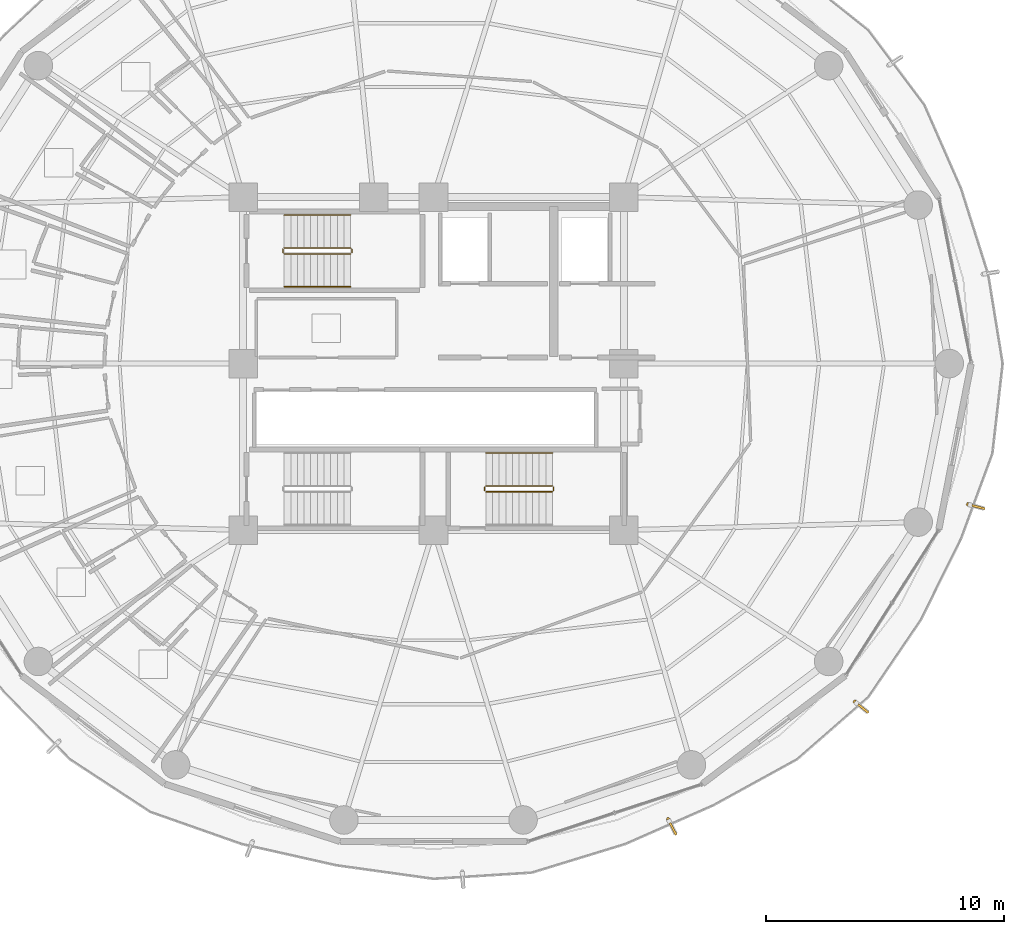
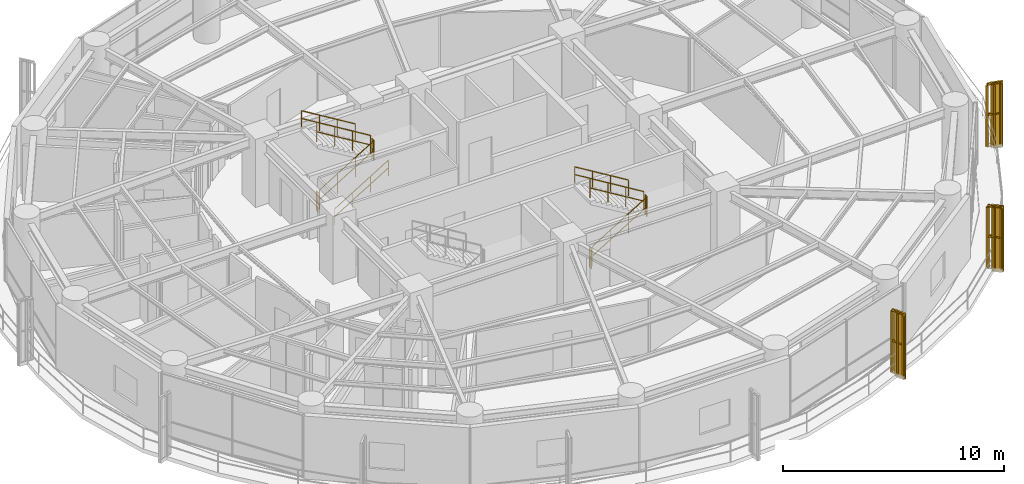
# One storey, part 26 of 27: 14 railings, 3 shading devices.
"""IFC4 building model written with IfcOpenShell, lengths in metres."""

from ifc_helpers import new_model, si_unit, direction, frame, origin, origin_2d, place, context, subcontext, project, spatial, polyline, rectangle, outline, extrude, source, transform, mapped, material, type_object, element, save


model = new_model("IFC4")

# Units and contexts
model_context = context("Model", 3, precision=1e-05, world=origin(), true_north=direction((0.0, 1.0)))
body_context = subcontext(model_context, "Body", "Model", "MODEL_VIEW")
ifc_project = project(units=[si_unit("LENGTHUNIT", "METRE"), si_unit("AREAUNIT", "SQUARE_METRE"), si_unit("VOLUMEUNIT", "CUBIC_METRE"), si_unit("PLANEANGLEUNIT", "RADIAN"), si_unit("MASSUNIT", "GRAM", prefix="KILO")], contexts=[model_context])

# Site, building, storey
site_placement = place(None, origin())
site = spatial("IfcSite", under=ifc_project, at=site_placement, CompositionType="ELEMENT")
building_placement = place(site_placement, origin())
building = spatial("IfcBuilding", under=site, at=building_placement, Name="Kelanora Arch Commons", CompositionType="ELEMENT")
storey_placement = place(building_placement, frame((0.0, 0.0, 173.10009765625)))
storey = spatial("IfcBuildingStorey", under=building, at=storey_placement, Name="L44", CompositionType="ELEMENT", Elevation=173.10009765625)

# Railings
ifc_material_1 = material(Name="Anodised bronze vertical shading fin rib assembly")
railing_type_1 = type_object("IfcRailingType", Name="RAIL-FIN-BRZ", PredefinedType="BALUSTRADE", material=ifc_material_1)
railing_1_placement = place(storey_placement, frame((96.4658203125, 52.081787109375, -0.02001953125)))
element("IfcRailing", 1, at=railing_1_placement, inside=storey, type_object=railing_type_1, Name="Sweeping Bronze Vertical Fin Blade L44-00", PredefinedType="BALUSTRADE", context=body_context, shape_type="SweptSolid", body=[
    extrude(outline(polyline([(0.06982421875, 0.0), (0.034912109375, 0.060546875), (-0.034912109375, 0.060546875), (-0.06982421875, 0.0), (-0.034912109375, -0.060546875), (0.034912109375, -0.060546875), (0.06982421875, 0.0)])), frame((0.0, 0.0, 3.419921875), z_axis=(0.967009213399, -0.254741400643, 0.0), x_axis=(0.254741400643, 0.967009213399, 0.0)), (0.0, 0.0, 1.0), 0.629638671875),
    extrude(outline(polyline([(0.06982421875, 0.0), (0.034912109375, 0.060546875), (-0.034912109375, 0.060546875), (-0.06982421875, 0.0), (-0.034912109375, -0.060546875), (0.034912109375, -0.060546875), (0.06982421875, 0.0)])), frame((0.0, 0.0, 1.7451171875), z_axis=(0.967009213399, -0.254741400643, 0.0), x_axis=(0.254741400643, 0.967009213399, 0.0)), (0.0, 0.0, 1.0), 0.629638671875),
    extrude(outline(polyline([(0.080078125, 0.0), (0.0400390625, 0.0693359375), (-0.0400390625, 0.0693359375), (-0.080078125, 0.0), (-0.0400390625, -0.0693359375), (0.0400390625, -0.0693359375), (0.080078125, 0.0)])), origin(), (0.0, 0.0, 1.0), 3.35009765625),
    extrude(outline(polyline([(0.080078125, 0.0), (0.0400390625, 0.0693359375), (-0.0400390625, 0.0693359375), (-0.080078125, 0.0), (-0.0400390625, -0.0693359375), (0.0400390625, -0.0693359375), (0.080078125, 0.0)])), frame((0.304443359375, -0.080078125, 0.0)), (0.0, 0.0, 1.0), 3.35009765625),
    extrude(outline(polyline([(0.080078125, 0.0), (0.0400390625, 0.0693359375), (-0.0400390625, 0.0693359375), (-0.080078125, 0.0), (-0.0400390625, -0.0693359375), (0.0400390625, -0.0693359375), (0.080078125, 0.0)])), frame((0.60888671875, -0.160400390625, 0.0)), (0.0, 0.0, 1.0), 3.35009765625),
])
railing_2_placement = place(storey_placement, frame((83.863037109375, 38.84326171875, -0.02001953125)))
element("IfcRailing", 2, at=railing_2_placement, inside=storey, type_object=railing_type_1, Name="Sweeping Bronze Vertical Fin Blade L44-13", PredefinedType="BALUSTRADE", context=body_context, shape_type="SweptSolid", body=[
    extrude(outline(polyline([(0.06982421875, 0.0), (0.034912109375, 0.060546875), (-0.034912109375, 0.060546875), (-0.06982421875, 0.0), (-0.034912109375, -0.060546875), (0.034912109375, -0.060546875), (0.06982421875, 0.0)])), frame((0.0, 0.0, 3.419921875), z_axis=(0.45757580669, -0.889170614186, 0.0), x_axis=(0.889170614186, 0.45757580669, 0.0)), (0.0, 0.0, 1.0), 0.629638671875),
    extrude(outline(polyline([(0.06982421875, 0.0), (0.034912109375, 0.060546875), (-0.034912109375, 0.060546875), (-0.06982421875, 0.0), (-0.034912109375, -0.060546875), (0.034912109375, -0.060546875), (0.06982421875, 0.0)])), frame((0.0, 0.0, 1.7451171875), z_axis=(0.45757580669, -0.889170614186, 0.0), x_axis=(0.889170614186, 0.45757580669, 0.0)), (0.0, 0.0, 1.0), 0.629638671875),
    extrude(outline(polyline([(0.080078125, 0.0), (0.0400390625, 0.0693359375), (-0.0400390625, 0.0693359375), (-0.080078125, 0.0), (-0.0400390625, -0.0693359375), (0.0400390625, -0.0693359375), (0.080078125, 0.0)])), origin(), (0.0, 0.0, 1.0), 3.35009765625),
    extrude(outline(polyline([(0.080078125, 0.0), (0.0400390625, 0.0693359375), (-0.0400390625, 0.0693359375), (-0.080078125, 0.0), (-0.0400390625, -0.0693359375), (0.0400390625, -0.0693359375), (0.080078125, 0.0)])), frame((0.14404296875, -0.27978515625, 0.0)), (0.0, 0.0, 1.0), 3.35009765625),
    extrude(outline(polyline([(0.080078125, 0.0), (0.0400390625, 0.0693359375), (-0.0400390625, 0.0693359375), (-0.080078125, 0.0), (-0.0400390625, -0.0693359375), (0.0400390625, -0.0693359375), (0.080078125, 0.0)])), frame((0.2880859375, -0.559814453125, 0.0)), (0.0, 0.0, 1.0), 3.35009765625),
])
railing_3_placement = place(storey_placement, frame((91.711181640625, 43.781005859375, -0.02001953125)))
element("IfcRailing", 3, at=railing_3_placement, inside=storey, type_object=railing_type_1, Name="Sweeping Bronze Vertical Fin Blade L44-14", PredefinedType="BALUSTRADE", context=body_context, shape_type="SweptSolid", body=[
    extrude(outline(polyline([(0.06982421875, 0.0), (0.034912109375, 0.060546875), (-0.034912109375, 0.060546875), (-0.06982421875, 0.0), (-0.034912109375, -0.060546875), (0.034912109375, -0.060546875), (0.06982421875, 0.0)])), frame((0.0, 0.0, 3.419921875), z_axis=(0.779884130357, -0.625923911684, 0.0), x_axis=(0.625923911684, 0.779884130357, 0.0)), (0.0, 0.0, 1.0), 0.629638671875),
    extrude(outline(polyline([(0.06982421875, 0.0), (0.034912109375, 0.060546875), (-0.034912109375, 0.060546875), (-0.06982421875, 0.0), (-0.034912109375, -0.060546875), (0.034912109375, -0.060546875), (0.06982421875, 0.0)])), frame((0.0, 0.0, 1.7451171875), z_axis=(0.779884130357, -0.625923911684, 0.0), x_axis=(0.625923911684, 0.779884130357, 0.0)), (0.0, 0.0, 1.0), 0.629638671875),
    extrude(outline(polyline([(0.080078125, 0.0), (0.0400390625, 0.0693359375), (-0.0400390625, 0.0693359375), (-0.080078125, 0.0), (-0.0400390625, -0.0693359375), (0.0400390625, -0.0693359375), (0.080078125, 0.0)])), origin(), (0.0, 0.0, 1.0), 3.35009765625),
    extrude(outline(polyline([(0.080078125, 0.0), (0.0400390625, 0.0693359375), (-0.0400390625, 0.0693359375), (-0.080078125, 0.0), (-0.0400390625, -0.0693359375), (0.0400390625, -0.0693359375), (0.080078125, 0.0)])), frame((0.24560546875, -0.197021484375, 0.0)), (0.0, 0.0, 1.0), 3.35009765625),
    extrude(outline(polyline([(0.080078125, 0.0), (0.0400390625, 0.0693359375), (-0.0400390625, 0.0693359375), (-0.080078125, 0.0), (-0.0400390625, -0.0693359375), (0.0400390625, -0.0693359375), (0.080078125, 0.0)])), frame((0.490966796875, -0.39404296875, 0.0)), (0.0, 0.0, 1.0), 3.35009765625),
])
ifc_material_2 = material(Name="Painted steel stair well guard", Category="steel")
railing_type_2 = type_object("IfcRailingType", Name="RAIL-STAIR-GRD", PredefinedType="GUARDRAIL", material=ifc_material_2)
railing_4_placement = place(storey_placement, frame((67.719970703125, 62.610107421875, 0.17041015625)))
element("IfcRailing", 4, at=railing_4_placement, inside=storey, type_object=railing_type_2, Name="L44 ST-T1 stair guard 1", PredefinedType="GUARDRAIL", context=body_context, shape_type="SweptSolid", body=[
    extrude(outline(polyline([(0.02392578125, 0.0), (0.011962890625, 0.020751953125), (-0.011962890625, 0.020751953125), (-0.02392578125, 0.0), (-0.011962890625, -0.020751953125), (0.011962890625, -0.020751953125), (0.02392578125, 0.0)])), frame((0.0, 0.0, 1.076171875), z_axis=(0.854169791009, 0.0, 0.51999420009), x_axis=(0.0, 1.0, 0.0)), (0.0, 0.0, 1.0), 3.278076171875),
    extrude(outline(polyline([(0.02392578125, 0.0), (0.011962890625, 0.020751953125), (-0.011962890625, 0.020751953125), (-0.02392578125, 0.0), (-0.011962890625, -0.020751953125), (0.011962890625, -0.020751953125), (0.02392578125, 0.0)])), frame((0.0, 0.0, 0.550048828125), z_axis=(0.854169791009, 0.0, 0.51999420009), x_axis=(0.0, 1.0, 0.0)), (0.0, 0.0, 1.0), 3.278076171875),
    extrude(outline(polyline([(0.02099609375, 0.0), (0.010498046875, 0.01806640625), (-0.010498046875, 0.01806640625), (-0.02099609375, 0.0), (-0.010498046875, -0.01806640625), (0.010498046875, -0.01806640625), (0.02099609375, 0.0)])), origin(), (0.0, 0.0, 1.0), 1.052001953125),
    extrude(outline(polyline([(0.02099609375, 0.0), (0.010498046875, 0.01806640625), (-0.010498046875, 0.01806640625), (-0.02099609375, 0.0), (-0.010498046875, -0.01806640625), (0.010498046875, -0.01806640625), (0.02099609375, 0.0)])), frame((0.933349609375, 0.0, 0.568115234375)), (0.0, 0.0, 1.0), 1.052001953125),
    extrude(outline(polyline([(0.02099609375, 0.0), (0.010498046875, 0.01806640625), (-0.010498046875, 0.01806640625), (-0.02099609375, 0.0), (-0.010498046875, -0.01806640625), (0.010498046875, -0.01806640625), (0.02099609375, 0.0)])), frame((1.86669921875, 0.0, 1.136474609375)), (0.0, 0.0, 1.0), 1.052001953125),
    extrude(outline(polyline([(0.02099609375, 0.0), (0.010498046875, 0.01806640625), (-0.010498046875, 0.01806640625), (-0.02099609375, 0.0), (-0.010498046875, -0.01806640625), (0.010498046875, -0.01806640625), (0.02099609375, 0.0)])), frame((2.800048828125, 0.0, 1.70458984375)), (0.0, 0.0, 1.0), 1.052001953125),
])
railing_5_placement = place(storey_placement, frame((70.570068359375, 62.659912109375, 1.875)))
element("IfcRailing", 5, at=railing_5_placement, inside=storey, type_object=railing_type_2, Name="L44 ST-T1 stair guard 2", PredefinedType="GUARDRAIL", context=body_context, shape_type="SweptSolid", body=[
    extrude(outline(polyline([(0.02392578125, 0.0), (0.011962890625, 0.020751953125), (-0.011962890625, 0.020751953125), (-0.02392578125, 0.0), (-0.011962890625, -0.020751953125), (0.011962890625, -0.020751953125), (0.02392578125, 0.0)])), frame((0.0, 0.0, 1.076171875), z_axis=(0.0, 1.0, 0.0), x_axis=(-1.0, 0.0, 0.0)), (0.0, 0.0, 1.0), 0.150146484375),
    extrude(outline(polyline([(0.02392578125, 0.0), (0.011962890625, 0.020751953125), (-0.011962890625, 0.020751953125), (-0.02392578125, 0.0), (-0.011962890625, -0.020751953125), (0.011962890625, -0.020751953125), (0.02392578125, 0.0)])), frame((0.0, 0.0, 0.550048828125), z_axis=(0.0, 1.0, 0.0), x_axis=(-1.0, 0.0, 0.0)), (0.0, 0.0, 1.0), 0.150146484375),
    extrude(outline(polyline([(0.02099609375, 0.0), (0.010498046875, 0.01806640625), (-0.010498046875, 0.01806640625), (-0.02099609375, 0.0), (-0.010498046875, -0.01806640625), (0.010498046875, -0.01806640625), (0.02099609375, 0.0)])), origin(), (0.0, 0.0, 1.0), 1.052001953125),
    extrude(outline(polyline([(0.02099609375, 0.0), (0.010498046875, 0.01806640625), (-0.010498046875, 0.01806640625), (-0.02099609375, 0.0), (-0.010498046875, -0.01806640625), (0.010498046875, -0.01806640625), (0.02099609375, 0.0)])), frame((0.0, 0.150146484375, 0.0)), (0.0, 0.0, 1.0), 1.052001953125),
])
railing_6_placement = place(storey_placement, frame((70.52001953125, 62.860107421875, 2.04541015625)))
element("IfcRailing", 6, at=railing_6_placement, inside=storey, type_object=railing_type_2, Name="L44 ST-T1 stair guard 3", PredefinedType="GUARDRAIL", context=body_context, shape_type="SweptSolid", body=[
    extrude(outline(polyline([(0.02392578125, 0.0), (0.011962890625, 0.020751953125), (-0.011962890625, 0.020751953125), (-0.02392578125, 0.0), (-0.011962890625, -0.020751953125), (0.011962890625, -0.020751953125), (0.02392578125, 0.0)])), frame((0.0, 0.0, 1.076171875), z_axis=(-0.854169791009, 0.0, 0.51999420009), x_axis=(0.0, -1.0, 0.0)), (0.0, 0.0, 1.0), 3.278076171875),
    extrude(outline(polyline([(0.02392578125, 0.0), (0.011962890625, 0.020751953125), (-0.011962890625, 0.020751953125), (-0.02392578125, 0.0), (-0.011962890625, -0.020751953125), (0.011962890625, -0.020751953125), (0.02392578125, 0.0)])), frame((0.0, 0.0, 0.550048828125), z_axis=(-0.854169791009, 0.0, 0.51999420009), x_axis=(0.0, -1.0, 0.0)), (0.0, 0.0, 1.0), 3.278076171875),
    extrude(outline(polyline([(0.02099609375, 0.0), (0.010498046875, 0.01806640625), (-0.010498046875, 0.01806640625), (-0.02099609375, 0.0), (-0.010498046875, -0.01806640625), (0.010498046875, -0.01806640625), (0.02099609375, 0.0)])), origin(), (0.0, 0.0, 1.0), 1.052001953125),
    extrude(outline(polyline([(0.02099609375, 0.0), (0.010498046875, 0.01806640625), (-0.010498046875, 0.01806640625), (-0.02099609375, 0.0), (-0.010498046875, -0.01806640625), (0.010498046875, -0.01806640625), (0.02099609375, 0.0)])), frame((-0.933349609375, 0.0, 0.568115234375)), (0.0, 0.0, 1.0), 1.052001953125),
    extrude(outline(polyline([(0.02099609375, 0.0), (0.010498046875, 0.01806640625), (-0.010498046875, 0.01806640625), (-0.02099609375, 0.0), (-0.010498046875, -0.01806640625), (0.010498046875, -0.01806640625), (0.02099609375, 0.0)])), frame((-1.86669921875, 0.0, 1.136474609375)), (0.0, 0.0, 1.0), 1.052001953125),
    extrude(outline(polyline([(0.02099609375, 0.0), (0.010498046875, 0.01806640625), (-0.010498046875, 0.01806640625), (-0.02099609375, 0.0), (-0.010498046875, -0.01806640625), (0.010498046875, -0.01806640625), (0.02099609375, 0.0)])), frame((-2.800048828125, 0.0, 1.70458984375)), (0.0, 0.0, 1.0), 1.052001953125),
])
railing_7_placement = place(storey_placement, frame((67.669921875, 62.659912109375, 0.0)))
element("IfcRailing", 7, at=railing_7_placement, inside=storey, type_object=railing_type_2, Name="L44 ST-T1 stair guard 4", PredefinedType="GUARDRAIL", context=body_context, shape_type="SweptSolid", body=[
    extrude(outline(polyline([(0.02392578125, 0.0), (0.011962890625, 0.020751953125), (-0.011962890625, 0.020751953125), (-0.02392578125, 0.0), (-0.011962890625, -0.020751953125), (0.011962890625, -0.020751953125), (0.02392578125, 0.0)])), frame((0.0, 0.0, 1.076171875), z_axis=(0.0, 1.0, 0.0), x_axis=(-1.0, 0.0, 0.0)), (0.0, 0.0, 1.0), 0.150146484375),
    extrude(outline(polyline([(0.02392578125, 0.0), (0.011962890625, 0.020751953125), (-0.011962890625, 0.020751953125), (-0.02392578125, 0.0), (-0.011962890625, -0.020751953125), (0.011962890625, -0.020751953125), (0.02392578125, 0.0)])), frame((0.0, 0.0, 0.550048828125), z_axis=(0.0, 1.0, 0.0), x_axis=(-1.0, 0.0, 0.0)), (0.0, 0.0, 1.0), 0.150146484375),
    extrude(outline(polyline([(0.02099609375, 0.0), (0.010498046875, 0.01806640625), (-0.010498046875, 0.01806640625), (-0.02099609375, 0.0), (-0.010498046875, -0.01806640625), (0.010498046875, -0.01806640625), (0.02099609375, 0.0)])), origin(), (0.0, 0.0, 1.0), 1.052001953125),
    extrude(outline(polyline([(0.02099609375, 0.0), (0.010498046875, 0.01806640625), (-0.010498046875, 0.01806640625), (-0.02099609375, 0.0), (-0.010498046875, -0.01806640625), (0.010498046875, -0.01806640625), (0.02099609375, 0.0)])), frame((0.0, 0.150146484375, 0.0)), (0.0, 0.0, 1.0), 1.052001953125),
])
railing_8_placement = place(storey_placement, frame((76.199951171875, 52.610107421875, 0.17041015625)))
element("IfcRailing", 8, at=railing_8_placement, inside=storey, type_object=railing_type_2, Name="L44 ST-T2 stair guard 1", PredefinedType="GUARDRAIL", context=body_context, shape_type="SweptSolid", body=[
    extrude(outline(polyline([(0.02392578125, 0.0), (0.011962890625, 0.020751953125), (-0.011962890625, 0.020751953125), (-0.02392578125, 0.0), (-0.011962890625, -0.020751953125), (0.011962890625, -0.020751953125), (0.02392578125, 0.0)])), frame((0.0, 0.0, 1.076171875), z_axis=(0.854169791009, 0.0, 0.51999420009), x_axis=(0.0, 1.0, 0.0)), (0.0, 0.0, 1.0), 3.278076171875),
    extrude(outline(polyline([(0.02392578125, 0.0), (0.011962890625, 0.020751953125), (-0.011962890625, 0.020751953125), (-0.02392578125, 0.0), (-0.011962890625, -0.020751953125), (0.011962890625, -0.020751953125), (0.02392578125, 0.0)])), frame((0.0, 0.0, 0.550048828125), z_axis=(0.854169791009, 0.0, 0.51999420009), x_axis=(0.0, 1.0, 0.0)), (0.0, 0.0, 1.0), 3.278076171875),
    extrude(outline(polyline([(0.02099609375, 0.0), (0.010498046875, 0.01806640625), (-0.010498046875, 0.01806640625), (-0.02099609375, 0.0), (-0.010498046875, -0.01806640625), (0.010498046875, -0.01806640625), (0.02099609375, 0.0)])), origin(), (0.0, 0.0, 1.0), 1.052001953125),
    extrude(outline(polyline([(0.02099609375, 0.0), (0.010498046875, 0.01806640625), (-0.010498046875, 0.01806640625), (-0.02099609375, 0.0), (-0.010498046875, -0.01806640625), (0.010498046875, -0.01806640625), (0.02099609375, 0.0)])), frame((0.933349609375, 0.0, 0.568115234375)), (0.0, 0.0, 1.0), 1.052001953125),
    extrude(outline(polyline([(0.02099609375, 0.0), (0.010498046875, 0.01806640625), (-0.010498046875, 0.01806640625), (-0.02099609375, 0.0), (-0.010498046875, -0.01806640625), (0.010498046875, -0.01806640625), (0.02099609375, 0.0)])), frame((1.86669921875, 0.0, 1.136474609375)), (0.0, 0.0, 1.0), 1.052001953125),
    extrude(outline(polyline([(0.02099609375, 0.0), (0.010498046875, 0.01806640625), (-0.010498046875, 0.01806640625), (-0.02099609375, 0.0), (-0.010498046875, -0.01806640625), (0.010498046875, -0.01806640625), (0.02099609375, 0.0)])), frame((2.800048828125, 0.0, 1.70458984375)), (0.0, 0.0, 1.0), 1.052001953125),
])
railing_9_placement = place(storey_placement, frame((79.050048828125, 52.659912109375, 1.875)))
element("IfcRailing", 9, at=railing_9_placement, inside=storey, type_object=railing_type_2, Name="L44 ST-T2 stair guard 2", PredefinedType="GUARDRAIL", context=body_context, shape_type="SweptSolid", body=[
    extrude(outline(polyline([(0.02392578125, 0.0), (0.011962890625, 0.020751953125), (-0.011962890625, 0.020751953125), (-0.02392578125, 0.0), (-0.011962890625, -0.020751953125), (0.011962890625, -0.020751953125), (0.02392578125, 0.0)])), frame((0.0, 0.0, 1.076171875), z_axis=(0.0, 1.0, 0.0), x_axis=(-1.0, 0.0, 0.0)), (0.0, 0.0, 1.0), 0.150146484375),
    extrude(outline(polyline([(0.02392578125, 0.0), (0.011962890625, 0.020751953125), (-0.011962890625, 0.020751953125), (-0.02392578125, 0.0), (-0.011962890625, -0.020751953125), (0.011962890625, -0.020751953125), (0.02392578125, 0.0)])), frame((0.0, 0.0, 0.550048828125), z_axis=(0.0, 1.0, 0.0), x_axis=(-1.0, 0.0, 0.0)), (0.0, 0.0, 1.0), 0.150146484375),
    extrude(outline(polyline([(0.02099609375, 0.0), (0.010498046875, 0.01806640625), (-0.010498046875, 0.01806640625), (-0.02099609375, 0.0), (-0.010498046875, -0.01806640625), (0.010498046875, -0.01806640625), (0.02099609375, 0.0)])), origin(), (0.0, 0.0, 1.0), 1.052001953125),
    extrude(outline(polyline([(0.02099609375, 0.0), (0.010498046875, 0.01806640625), (-0.010498046875, 0.01806640625), (-0.02099609375, 0.0), (-0.010498046875, -0.01806640625), (0.010498046875, -0.01806640625), (0.02099609375, 0.0)])), frame((0.0, 0.150146484375, 0.0)), (0.0, 0.0, 1.0), 1.052001953125),
])
railing_10_placement = place(storey_placement, frame((79.0, 52.860107421875, 2.04541015625)))
element("IfcRailing", 10, at=railing_10_placement, inside=storey, type_object=railing_type_2, Name="L44 ST-T2 stair guard 3", PredefinedType="GUARDRAIL", context=body_context, shape_type="SweptSolid", body=[
    extrude(outline(polyline([(0.02392578125, 0.0), (0.011962890625, 0.020751953125), (-0.011962890625, 0.020751953125), (-0.02392578125, 0.0), (-0.011962890625, -0.020751953125), (0.011962890625, -0.020751953125), (0.02392578125, 0.0)])), frame((0.0, 0.0, 1.076171875), z_axis=(-0.854169791009, 0.0, 0.51999420009), x_axis=(0.0, -1.0, 0.0)), (0.0, 0.0, 1.0), 3.278076171875),
    extrude(outline(polyline([(0.02392578125, 0.0), (0.011962890625, 0.020751953125), (-0.011962890625, 0.020751953125), (-0.02392578125, 0.0), (-0.011962890625, -0.020751953125), (0.011962890625, -0.020751953125), (0.02392578125, 0.0)])), frame((0.0, 0.0, 0.550048828125), z_axis=(-0.854169791009, 0.0, 0.51999420009), x_axis=(0.0, -1.0, 0.0)), (0.0, 0.0, 1.0), 3.278076171875),
    extrude(outline(polyline([(0.02099609375, 0.0), (0.010498046875, 0.01806640625), (-0.010498046875, 0.01806640625), (-0.02099609375, 0.0), (-0.010498046875, -0.01806640625), (0.010498046875, -0.01806640625), (0.02099609375, 0.0)])), origin(), (0.0, 0.0, 1.0), 1.052001953125),
    extrude(outline(polyline([(0.02099609375, 0.0), (0.010498046875, 0.01806640625), (-0.010498046875, 0.01806640625), (-0.02099609375, 0.0), (-0.010498046875, -0.01806640625), (0.010498046875, -0.01806640625), (0.02099609375, 0.0)])), frame((-0.933349609375, 0.0, 0.568115234375)), (0.0, 0.0, 1.0), 1.052001953125),
    extrude(outline(polyline([(0.02099609375, 0.0), (0.010498046875, 0.01806640625), (-0.010498046875, 0.01806640625), (-0.02099609375, 0.0), (-0.010498046875, -0.01806640625), (0.010498046875, -0.01806640625), (0.02099609375, 0.0)])), frame((-1.86669921875, 0.0, 1.136474609375)), (0.0, 0.0, 1.0), 1.052001953125),
    extrude(outline(polyline([(0.02099609375, 0.0), (0.010498046875, 0.01806640625), (-0.010498046875, 0.01806640625), (-0.02099609375, 0.0), (-0.010498046875, -0.01806640625), (0.010498046875, -0.01806640625), (0.02099609375, 0.0)])), frame((-2.800048828125, 0.0, 1.70458984375)), (0.0, 0.0, 1.0), 1.052001953125),
])
railing_11_placement = place(storey_placement, frame((76.14990234375, 52.659912109375, 0.0)))
element("IfcRailing", 11, at=railing_11_placement, inside=storey, type_object=railing_type_2, Name="L44 ST-T2 stair guard 4", PredefinedType="GUARDRAIL", context=body_context, shape_type="SweptSolid", body=[
    extrude(outline(polyline([(0.02392578125, 0.0), (0.011962890625, 0.020751953125), (-0.011962890625, 0.020751953125), (-0.02392578125, 0.0), (-0.011962890625, -0.020751953125), (0.011962890625, -0.020751953125), (0.02392578125, 0.0)])), frame((0.0, 0.0, 1.076171875), z_axis=(0.0, 1.0, 0.0), x_axis=(-1.0, 0.0, 0.0)), (0.0, 0.0, 1.0), 0.150146484375),
    extrude(outline(polyline([(0.02392578125, 0.0), (0.011962890625, 0.020751953125), (-0.011962890625, 0.020751953125), (-0.02392578125, 0.0), (-0.011962890625, -0.020751953125), (0.011962890625, -0.020751953125), (0.02392578125, 0.0)])), frame((0.0, 0.0, 0.550048828125), z_axis=(0.0, 1.0, 0.0), x_axis=(-1.0, 0.0, 0.0)), (0.0, 0.0, 1.0), 0.150146484375),
    extrude(outline(polyline([(0.02099609375, 0.0), (0.010498046875, 0.01806640625), (-0.010498046875, 0.01806640625), (-0.02099609375, 0.0), (-0.010498046875, -0.01806640625), (0.010498046875, -0.01806640625), (0.02099609375, 0.0)])), origin(), (0.0, 0.0, 1.0), 1.052001953125),
    extrude(outline(polyline([(0.02099609375, 0.0), (0.010498046875, 0.01806640625), (-0.010498046875, 0.01806640625), (-0.02099609375, 0.0), (-0.010498046875, -0.01806640625), (0.010498046875, -0.01806640625), (0.02099609375, 0.0)])), frame((0.0, 0.150146484375, 0.0)), (0.0, 0.0, 1.0), 1.052001953125),
])
ifc_material_3 = material(Name="Brushed stainless steel stair handrail", Category="steel")
railing_type_3 = type_object("IfcRailingType", Name="RAIL-STAIR-HND", PredefinedType="HANDRAIL", material=ifc_material_3)
railing_12_placement = place(storey_placement, frame((67.719970703125, 61.22998046875, 0.17041015625)))
element("IfcRailing", 12, at=railing_12_placement, inside=storey, type_object=railing_type_3, Name="L44 ST-T1 stair handrail 1", PredefinedType="HANDRAIL", context=body_context, shape_type="SweptSolid", body=[
    extrude(outline(polyline([(0.02392578125, 0.0), (0.011962890625, 0.020751953125), (-0.011962890625, 0.020751953125), (-0.02392578125, 0.0), (-0.011962890625, -0.020751953125), (0.011962890625, -0.020751953125), (0.02392578125, 0.0)])), frame((0.0, 0.0, 0.8759765625), z_axis=(0.854169791009, 0.0, 0.51999420009), x_axis=(0.0, 1.0, 0.0)), (0.0, 0.0, 1.0), 3.278076171875),
    extrude(outline(polyline([(0.02392578125, 0.0), (0.011962890625, 0.020751953125), (-0.011962890625, 0.020751953125), (-0.02392578125, 0.0), (-0.011962890625, -0.020751953125), (0.011962890625, -0.020751953125), (0.02392578125, 0.0)])), frame((0.0, 0.0, 0.449951171875), z_axis=(0.854169791009, 0.0, 0.51999420009), x_axis=(0.0, 1.0, 0.0)), (0.0, 0.0, 1.0), 3.278076171875),
    extrude(outline(polyline([(0.02099609375, 0.0), (0.010498046875, 0.01806640625), (-0.010498046875, 0.01806640625), (-0.02099609375, 0.0), (-0.010498046875, -0.01806640625), (0.010498046875, -0.01806640625), (0.02099609375, 0.0)])), origin(), (0.0, 0.0, 1.0), 0.851806640625),
    extrude(outline(polyline([(0.02099609375, 0.0), (0.010498046875, 0.01806640625), (-0.010498046875, 0.01806640625), (-0.02099609375, 0.0), (-0.010498046875, -0.01806640625), (0.010498046875, -0.01806640625), (0.02099609375, 0.0)])), frame((0.933349609375, 0.0, 0.568115234375)), (0.0, 0.0, 1.0), 0.851806640625),
    extrude(outline(polyline([(0.02099609375, 0.0), (0.010498046875, 0.01806640625), (-0.010498046875, 0.01806640625), (-0.02099609375, 0.0), (-0.010498046875, -0.01806640625), (0.010498046875, -0.01806640625), (0.02099609375, 0.0)])), frame((1.86669921875, 0.0, 1.136474609375)), (0.0, 0.0, 1.0), 0.851806640625),
    extrude(outline(polyline([(0.02099609375, 0.0), (0.010498046875, 0.01806640625), (-0.010498046875, 0.01806640625), (-0.02099609375, 0.0), (-0.010498046875, -0.01806640625), (0.010498046875, -0.01806640625), (0.02099609375, 0.0)])), frame((2.800048828125, 0.0, 1.70458984375)), (0.0, 0.0, 1.0), 0.851806640625),
])
railing_13_placement = place(storey_placement, frame((70.52001953125, 64.239990234375, 2.04541015625)))
element("IfcRailing", 13, at=railing_13_placement, inside=storey, type_object=railing_type_3, Name="L44 ST-T1 stair handrail 2", PredefinedType="HANDRAIL", context=body_context, shape_type="SweptSolid", body=[
    extrude(outline(polyline([(0.02392578125, 0.0), (0.011962890625, 0.020751953125), (-0.011962890625, 0.020751953125), (-0.02392578125, 0.0), (-0.011962890625, -0.020751953125), (0.011962890625, -0.020751953125), (0.02392578125, 0.0)])), frame((0.0, 0.0, 0.8759765625), z_axis=(-0.854169791009, 0.0, 0.51999420009), x_axis=(0.0, -1.0, 0.0)), (0.0, 0.0, 1.0), 3.278076171875),
    extrude(outline(polyline([(0.02392578125, 0.0), (0.011962890625, 0.020751953125), (-0.011962890625, 0.020751953125), (-0.02392578125, 0.0), (-0.011962890625, -0.020751953125), (0.011962890625, -0.020751953125), (0.02392578125, 0.0)])), frame((0.0, 0.0, 0.449951171875), z_axis=(-0.854169791009, 0.0, 0.51999420009), x_axis=(0.0, -1.0, 0.0)), (0.0, 0.0, 1.0), 3.278076171875),
    extrude(outline(polyline([(0.02099609375, 0.0), (0.010498046875, 0.01806640625), (-0.010498046875, 0.01806640625), (-0.02099609375, 0.0), (-0.010498046875, -0.01806640625), (0.010498046875, -0.01806640625), (0.02099609375, 0.0)])), origin(), (0.0, 0.0, 1.0), 0.851806640625),
    extrude(outline(polyline([(0.02099609375, 0.0), (0.010498046875, 0.01806640625), (-0.010498046875, 0.01806640625), (-0.02099609375, 0.0), (-0.010498046875, -0.01806640625), (0.010498046875, -0.01806640625), (0.02099609375, 0.0)])), frame((-0.933349609375, 0.0, 0.568115234375)), (0.0, 0.0, 1.0), 0.851806640625),
    extrude(outline(polyline([(0.02099609375, 0.0), (0.010498046875, 0.01806640625), (-0.010498046875, 0.01806640625), (-0.02099609375, 0.0), (-0.010498046875, -0.01806640625), (0.010498046875, -0.01806640625), (0.02099609375, 0.0)])), frame((-1.86669921875, 0.0, 1.136474609375)), (0.0, 0.0, 1.0), 0.851806640625),
    extrude(outline(polyline([(0.02099609375, 0.0), (0.010498046875, 0.01806640625), (-0.010498046875, 0.01806640625), (-0.02099609375, 0.0), (-0.010498046875, -0.01806640625), (0.010498046875, -0.01806640625), (0.02099609375, 0.0)])), frame((-2.800048828125, 0.0, 1.70458984375)), (0.0, 0.0, 1.0), 0.851806640625),
])
railing_14_placement = place(storey_placement, frame((79.0, 54.239990234375, 2.04541015625)))
element("IfcRailing", 14, at=railing_14_placement, inside=storey, type_object=railing_type_3, Name="L44 ST-T2 stair handrail 2", PredefinedType="HANDRAIL", context=body_context, shape_type="SweptSolid", body=[
    extrude(outline(polyline([(0.02392578125, 0.0), (0.011962890625, 0.020751953125), (-0.011962890625, 0.020751953125), (-0.02392578125, 0.0), (-0.011962890625, -0.020751953125), (0.011962890625, -0.020751953125), (0.02392578125, 0.0)])), frame((0.0, 0.0, 0.8759765625), z_axis=(-0.854169791009, 0.0, 0.51999420009), x_axis=(0.0, -1.0, 0.0)), (0.0, 0.0, 1.0), 3.278076171875),
    extrude(outline(polyline([(0.02392578125, 0.0), (0.011962890625, 0.020751953125), (-0.011962890625, 0.020751953125), (-0.02392578125, 0.0), (-0.011962890625, -0.020751953125), (0.011962890625, -0.020751953125), (0.02392578125, 0.0)])), frame((0.0, 0.0, 0.449951171875), z_axis=(-0.854169791009, 0.0, 0.51999420009), x_axis=(0.0, -1.0, 0.0)), (0.0, 0.0, 1.0), 3.278076171875),
    extrude(outline(polyline([(0.02099609375, 0.0), (0.010498046875, 0.01806640625), (-0.010498046875, 0.01806640625), (-0.02099609375, 0.0), (-0.010498046875, -0.01806640625), (0.010498046875, -0.01806640625), (0.02099609375, 0.0)])), origin(), (0.0, 0.0, 1.0), 0.851806640625),
    extrude(outline(polyline([(0.02099609375, 0.0), (0.010498046875, 0.01806640625), (-0.010498046875, 0.01806640625), (-0.02099609375, 0.0), (-0.010498046875, -0.01806640625), (0.010498046875, -0.01806640625), (0.02099609375, 0.0)])), frame((-0.933349609375, 0.0, 0.568115234375)), (0.0, 0.0, 1.0), 0.851806640625),
    extrude(outline(polyline([(0.02099609375, 0.0), (0.010498046875, 0.01806640625), (-0.010498046875, 0.01806640625), (-0.02099609375, 0.0), (-0.010498046875, -0.01806640625), (0.010498046875, -0.01806640625), (0.02099609375, 0.0)])), frame((-1.86669921875, 0.0, 1.136474609375)), (0.0, 0.0, 1.0), 0.851806640625),
    extrude(outline(polyline([(0.02099609375, 0.0), (0.010498046875, 0.01806640625), (-0.010498046875, 0.01806640625), (-0.02099609375, 0.0), (-0.010498046875, -0.01806640625), (0.010498046875, -0.01806640625), (0.02099609375, 0.0)])), frame((-2.800048828125, 0.0, 1.70458984375)), (0.0, 0.0, 1.0), 0.851806640625),
])

# Shading devices
ifc_material_4 = material(Name="Terracotta ceramic-clad extruded aluminium fin", Category="masonry")
shading_device_type = type_object("IfcShadingDeviceType", Name="SHD-FIN-WAIST", PredefinedType="USERDEFINED", material=ifc_material_4)
shared_shape = source(origin(), body_context, "Body", "SweptSolid", [
    extrude(rectangle(XDim=0.56005859375, YDim=0.090087890625, at=origin_2d()), origin(), (0.0, 0.0, 1.0), 3.610107421875),
])
for number, where, z_axis, x_axis, name in (
    (15, (96.90576171875, 51.966064453125, -0.14013671875), (0.0, 0.0, 1.0), (0.967001487762, -0.254770725683, 0.0), "Sweeping Terracotta Fin L44-00"),
    (16, (84.0712890625, 38.438720703125, -0.14013671875), (0.0, 0.0, 1.0), (0.457718745382, -0.889097042019, 0.0), "Sweeping Terracotta Fin L44-13"),
    (17, (92.06591796875, 43.496337890625, -0.14013671875), (0.0, 0.0, 1.0), (0.779775226961, -0.62605957817, 0.0), "Sweeping Terracotta Fin L44-14"),
):
    element("IfcShadingDevice", number, at=place(storey_placement, frame(where, z_axis=z_axis, x_axis=x_axis)), inside=storey, type_object=shading_device_type, Name=name, ObjectType="FIN", PredefinedType="USERDEFINED", context=body_context, shape_type="MappedRepresentation", body=[
        mapped(shared_shape, transform((0.0, 0.0, 0.0), scale=1.0)),
    ])

save(model, "model.ifc")
